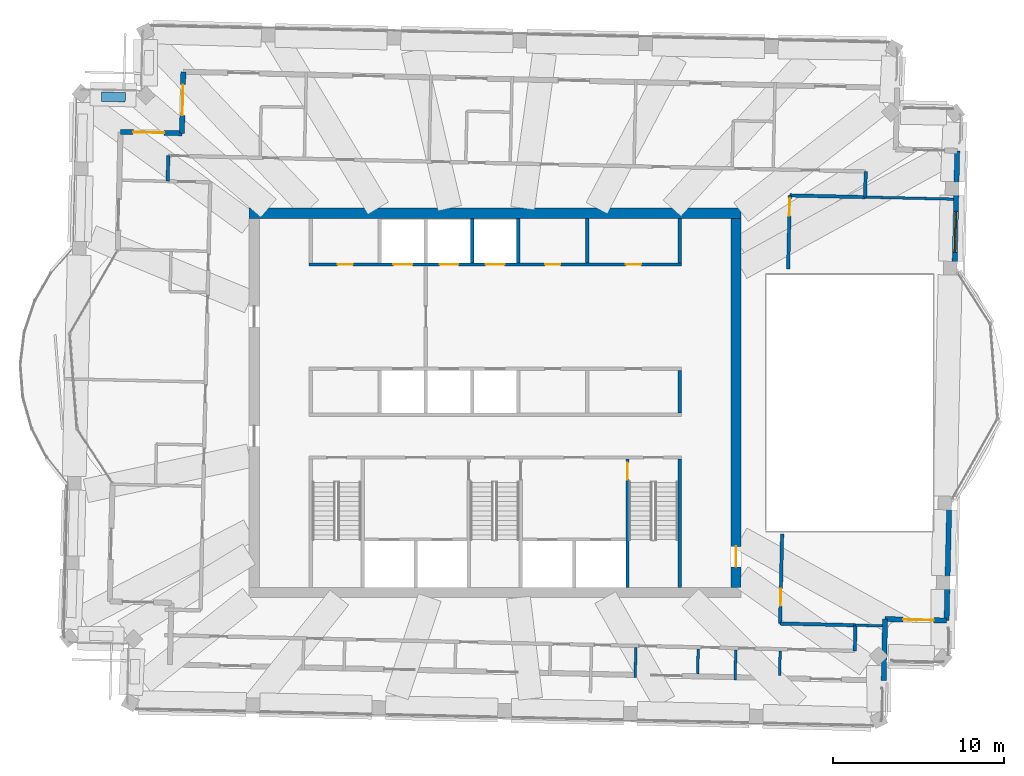
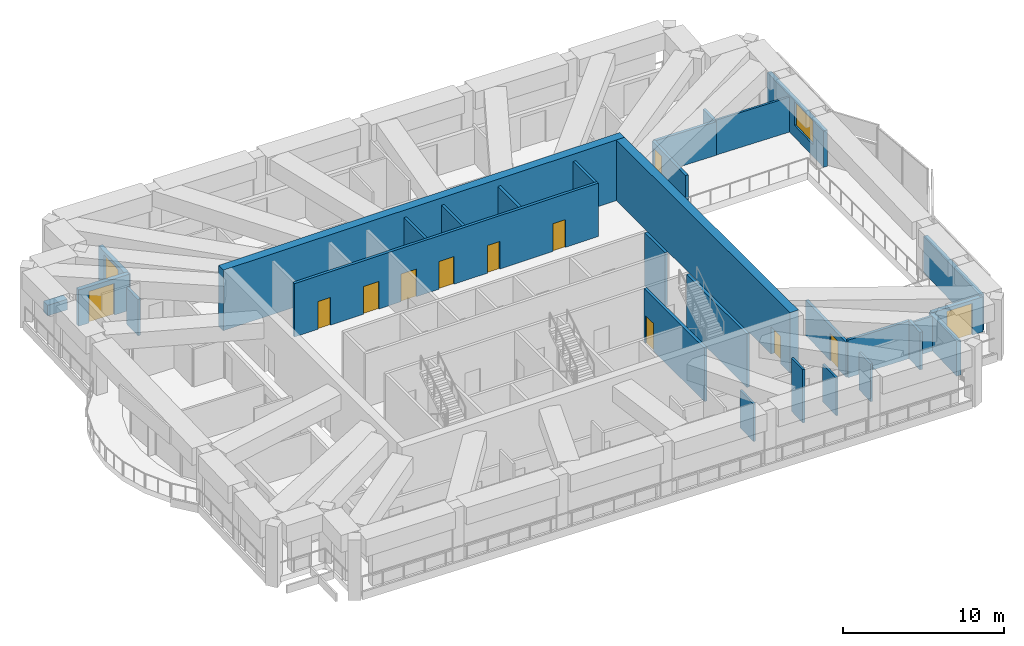
# One storey, part 11 of 19: 30 walls, 13 doors, 1 window, 14 openings.
"""IFC4 building model written with IfcOpenShell, lengths in metres."""

from ifc_helpers import new_model, si_unit, direction, frame, frame_2d, origin, place, context, subcontext, project, spatial, rectangle, extrude, material, layer, layer_set, type_object, element, fill, save


model = new_model("IFC4")

# Units and contexts
model_context = context("Model", 3, precision=1e-05, world=origin(), true_north=direction((0.0, 1.0)))
body_context = subcontext(model_context, "Body", "Model", "MODEL_VIEW")
ifc_project = project(units=[si_unit("LENGTHUNIT", "METRE"), si_unit("AREAUNIT", "SQUARE_METRE"), si_unit("VOLUMEUNIT", "CUBIC_METRE"), si_unit("PLANEANGLEUNIT", "RADIAN"), si_unit("MASSUNIT", "GRAM", prefix="KILO")], contexts=[model_context])

# Site, building, storey
site_placement = place(None, origin())
site = spatial("IfcSite", under=ifc_project, at=site_placement, CompositionType="ELEMENT")
building_placement = place(site_placement, origin())
building = spatial("IfcBuilding", under=site, at=building_placement, Name="Mangrove Gate Tower", CompositionType="ELEMENT")
storey_placement = place(building_placement, frame((0.0, 0.0, 346.10009765625)))
storey = spatial("IfcBuildingStorey", under=building, at=storey_placement, Name="L88", CompositionType="ELEMENT", Elevation=346.10009765625)

# Walls
ifc_material_1 = material(Name="Concrete C32/40", Category="concrete")
ifc_layer_1 = layer(ifc_material_1, 0.199951171875)
ifc_layer_set_1 = layer_set([ifc_layer_1], Name="Core room wall 200 C32/40")
wall_type_1 = type_object("IfcWallType", Name="Core room wall 200 C32/40", PredefinedType="STANDARD", material=ifc_layer_set_1)
wall_1_placement = place(storey_placement, frame((10.800048828125, -0.60009765625, 0.0), z_axis=(0.0, 0.0, 1.0), x_axis=(0.0, 1.0, 0.0)))
element("IfcWall", 1, at=wall_1_placement, inside=storey, type_object=wall_type_1, Name="WALL-L88-CORE-25", PredefinedType="STANDARD", context=body_context, shape_type="SweptSolid", body=[
    extrude(rectangle(XDim=2.5, YDim=0.199951171875, at=frame_2d((1.25, 0.0))), origin(), (0.0, 0.0, 1.0), 4.0498046875),
])
for number, where, z_axis, x_axis, name in (
    (2, (5.39990234375, 8.199951171875, 0.0), (0.0, 0.0, 1.0), (0.0, 1.0, 0.0), "WALL-L88-CORE-31"),
    (3, (10.800048828125, 8.199951171875, 0.0), (0.0, 0.0, 1.0), (0.0, 1.0, 0.0), "WALL-L88-CORE-32"),
):
    element("IfcWall", number, at=place(storey_placement, frame(where, z_axis=z_axis, x_axis=x_axis)), inside=storey, type_object=wall_type_1, Name=name, PredefinedType="STANDARD", context=body_context, shape_type="SweptSolid", body=[
        extrude(rectangle(XDim=2.60009765625, YDim=0.199951171875, at=frame_2d((1.300048828125, 0.0))), origin(), (0.0, 0.0, 1.0), 4.0498046875),
    ])

# Wall, openings, doors
ifc_material_2 = material(Name="Concrete C50/60", Category="concrete")
ifc_layer_2 = layer(ifc_material_2, 0.199951171875)
ifc_layer_set_2 = layer_set([ifc_layer_2], Name="Core shaft wall 200 C50/60")
wall_type_2 = type_object("IfcWallType", Name="Core shaft wall 200 C50/60", PredefinedType="SHEAR", material=ifc_layer_set_2)
wall_2_placement = place(storey_placement, frame((-10.89990234375, 8.10009765625, 0.0), z_axis=(0.0, 0.0, 1.0), x_axis=(1.0, 0.0, 0.0)))
wall_2 = element("IfcWall", 4, at=wall_2_placement, inside=storey, type_object=wall_type_2, Name="WALL-L88-CORE-8", PredefinedType="SHEAR", context=body_context, shape_type="SweptSolid", body=[
    extrude(rectangle(XDim=21.7998046875, YDim=0.199951171875, at=frame_2d((10.89990234375, 0.0))), origin(), (0.0, 0.0, 1.0), 4.0498046875),
])
opening_1_placement = place(wall_2_placement, frame((4.949951171875, 0.0, 0.0)))
opening_1 = element("IfcOpeningElement", 5, at=opening_1_placement, cuts=wall_2, Name="Opening LD", PredefinedType="OPENING", context=body_context, shape_type="SweptSolid", body=[
    extrude(rectangle(XDim=1.10009765625, YDim=2.10009765625, at=frame_2d((0.550048828125, 1.050048828125))), frame((0.0, 0.10986328125, 0.0), z_axis=(0.0, -1.0, 0.0), x_axis=(1.0, 0.0, 0.0)), (0.0, 0.0, 1.0), 0.219970703125),
])
opening_2_placement = place(wall_2_placement, frame((7.64990234375, 0.0, 0.0)))
opening_2 = element("IfcOpeningElement", 6, at=opening_2_placement, cuts=wall_2, Name="Opening LD", PredefinedType="OPENING", context=body_context, shape_type="SweptSolid", body=[
    extrude(rectangle(XDim=1.10009765625, YDim=2.10009765625, at=frame_2d((0.550048828125, 1.050048828125))), frame((0.0, 0.10986328125, 0.0), z_axis=(0.0, -1.0, 0.0), x_axis=(1.0, 0.0, 0.0)), (0.0, 0.0, 1.0), 0.219970703125),
])
opening_3_placement = place(wall_2_placement, frame((10.35009765625, 0.0, 0.0)))
opening_3 = element("IfcOpeningElement", 7, at=opening_3_placement, cuts=wall_2, Name="Opening LD", PredefinedType="OPENING", context=body_context, shape_type="SweptSolid", body=[
    extrude(rectangle(XDim=1.10009765625, YDim=2.10009765625, at=frame_2d((0.550048828125, 1.050048828125))), frame((0.0, 0.10986328125, 0.0), z_axis=(0.0, -1.0, 0.0), x_axis=(1.0, 0.0, 0.0)), (0.0, 0.0, 1.0), 0.219970703125),
])
opening_4_placement = place(wall_2_placement, frame((1.675048828125, 0.0, 0.0)))
opening_4 = element("IfcOpeningElement", 8, at=opening_4_placement, cuts=wall_2, Name="Opening KD", PredefinedType="OPENING", context=body_context, shape_type="SweptSolid", body=[
    extrude(rectangle(XDim=0.89990234375, YDim=2.10009765625, at=frame_2d((0.449951171875, 1.050048828125))), frame((0.0, 0.10986328125, 0.0), z_axis=(0.0, -1.0, 0.0), x_axis=(1.0, 0.0, 0.0)), (0.0, 0.0, 1.0), 0.219970703125),
])
opening_5_placement = place(wall_2_placement, frame((13.824951171875, 0.0, 0.0)))
opening_5 = element("IfcOpeningElement", 9, at=opening_5_placement, cuts=wall_2, Name="Opening KD", PredefinedType="OPENING", context=body_context, shape_type="SweptSolid", body=[
    extrude(rectangle(XDim=0.89990234375, YDim=2.10009765625, at=frame_2d((0.449951171875, 1.050048828125))), frame((0.0, 0.10986328125, 0.0), z_axis=(0.0, -1.0, 0.0), x_axis=(1.0, 0.0, 0.0)), (0.0, 0.0, 1.0), 0.219970703125),
])
opening_6_placement = place(wall_2_placement, frame((18.550048828125, 0.0, 0.0)))
opening_6 = element("IfcOpeningElement", 10, at=opening_6_placement, cuts=wall_2, Name="Opening RD", PredefinedType="OPENING", context=body_context, shape_type="SweptSolid", body=[
    extrude(rectangle(XDim=0.89990234375, YDim=2.10009765625, at=frame_2d((0.449951171875, 1.050048828125))), frame((0.0, 0.10986328125, 0.0), z_axis=(0.0, -1.0, 0.0), x_axis=(1.0, 0.0, 0.0)), (0.0, 0.0, 1.0), 0.219970703125),
])
ifc_material_3 = material(Name="Fire-rated steel door set", Category="steel")
door_type_1 = type_object("IfcDoorType", Name="Core room door FD30S 900x2100", OperationType="SINGLE_SWING_RIGHT", PredefinedType="DOOR", material=ifc_material_3)
door_1_placement = place(opening_4_placement, origin())
door_1 = element("IfcDoor", 11, at=door_1_placement, inside=storey, type_object=door_type_1, Name="Core room door Cleaner's store", OperationType="SINGLE_SWING_RIGHT", OverallHeight=2.10009765625, OverallWidth=0.89990234375, PredefinedType="DOOR", context=body_context, shape_type="SweptSolid", body=[
    extrude(rectangle(XDim=0.89990234375, YDim=2.10009765625, at=frame_2d((0.449951171875, 1.050048828125))), frame((0.0, 0.02490234375, 0.0), z_axis=(0.0, -1.0, 0.0), x_axis=(1.0, 0.0, 0.0)), (0.0, 0.0, 1.0), 0.050048828125),
])
fill(opening_4, door_1)
door_2_placement = place(opening_5_placement, origin())
door_2 = element("IfcDoor", 12, at=door_2_placement, inside=storey, type_object=door_type_1, Name="Core room door Refuse store", OperationType="SINGLE_SWING_RIGHT", OverallHeight=2.10009765625, OverallWidth=0.89990234375, PredefinedType="DOOR", context=body_context, shape_type="SweptSolid", body=[
    extrude(rectangle(XDim=0.89990234375, YDim=2.10009765625, at=frame_2d((0.449951171875, 1.050048828125))), frame((0.0, 0.02490234375, 0.0), z_axis=(0.0, -1.0, 0.0), x_axis=(1.0, 0.0, 0.0)), (0.0, 0.0, 1.0), 0.050048828125),
])
fill(opening_5, door_2)
ifc_material_4 = material(Name="Stainless steel 316", Category="steel")
door_type_2 = type_object("IfcDoorType", Name="Lift landing door 1100x2100", OperationType="SLIDING_TO_LEFT", PredefinedType="DOOR", material=ifc_material_4)
door_3_placement = place(opening_1_placement, origin())
door_3 = element("IfcDoor", 13, at=door_3_placement, inside=storey, type_object=door_type_2, Name="Landing door LD H04", OperationType="SLIDING_TO_LEFT", OverallHeight=2.10009765625, OverallWidth=1.10009765625, PredefinedType="DOOR", context=body_context, shape_type="SweptSolid", body=[
    extrude(rectangle(XDim=1.10009765625, YDim=2.10009765625, at=frame_2d((0.550048828125, 1.050048828125))), frame((0.0, 0.02490234375, 0.0), z_axis=(0.0, -1.0, 0.0), x_axis=(1.0, 0.0, 0.0)), (0.0, 0.0, 1.0), 0.050048828125),
])
fill(opening_1, door_3)
door_4_placement = place(opening_2_placement, origin())
door_4 = element("IfcDoor", 14, at=door_4_placement, inside=storey, type_object=door_type_2, Name="Landing door LD H05", OperationType="SLIDING_TO_LEFT", OverallHeight=2.10009765625, OverallWidth=1.10009765625, PredefinedType="DOOR", context=body_context, shape_type="SweptSolid", body=[
    extrude(rectangle(XDim=1.10009765625, YDim=2.10009765625, at=frame_2d((0.550048828125, 1.050048828125))), frame((0.0, 0.02490234375, 0.0), z_axis=(0.0, -1.0, 0.0), x_axis=(1.0, 0.0, 0.0)), (0.0, 0.0, 1.0), 0.050048828125),
])
fill(opening_2, door_4)
door_5_placement = place(opening_3_placement, origin())
door_5 = element("IfcDoor", 15, at=door_5_placement, inside=storey, type_object=door_type_2, Name="Landing door LD H06", OperationType="SLIDING_TO_LEFT", OverallHeight=2.10009765625, OverallWidth=1.10009765625, PredefinedType="DOOR", context=body_context, shape_type="SweptSolid", body=[
    extrude(rectangle(XDim=1.10009765625, YDim=2.10009765625, at=frame_2d((0.550048828125, 1.050048828125))), frame((0.0, 0.02490234375, 0.0), z_axis=(0.0, -1.0, 0.0), x_axis=(1.0, 0.0, 0.0)), (0.0, 0.0, 1.0), 0.050048828125),
])
fill(opening_3, door_5)
ifc_material_5 = material(Name="Fire-rated steel door set", Category="steel")
door_type_3 = type_object("IfcDoorType", Name="Riser door FD30S 900x2100", OperationType="SINGLE_SWING_LEFT", PredefinedType="DOOR", material=ifc_material_5)
door_6_placement = place(opening_6_placement, origin())
door_6 = element("IfcDoor", 16, at=door_6_placement, inside=storey, type_object=door_type_3, Name="Riser door Electrical room", OperationType="SINGLE_SWING_LEFT", OverallHeight=2.10009765625, OverallWidth=0.89990234375, PredefinedType="DOOR", context=body_context, shape_type="SweptSolid", body=[
    extrude(rectangle(XDim=0.89990234375, YDim=2.10009765625, at=frame_2d((0.449951171875, 1.050048828125))), frame((0.0, 0.02490234375, 0.0), z_axis=(0.0, -1.0, 0.0), x_axis=(1.0, 0.0, 0.0)), (0.0, 0.0, 1.0), 0.050048828125),
])
fill(opening_6, door_6)

# Walls
for number, where, z_axis, x_axis, name in (
    (17, (-1.35009765625, 8.199951171875, 0.0), (0.0, 0.0, 1.0), (0.0, 1.0, 0.0), "WALL-L88-CORE-29"),
    (18, (1.35009765625, 8.199951171875, 0.0), (0.0, 0.0, 1.0), (0.0, 1.0, 0.0), "WALL-L88-CORE-30"),
):
    element("IfcWall", number, at=place(storey_placement, frame(where, z_axis=z_axis, x_axis=x_axis)), inside=storey, type_object=wall_type_2, Name=name, PredefinedType="SHEAR", context=body_context, shape_type="SweptSolid", body=[
        extrude(rectangle(XDim=2.60009765625, YDim=0.199951171875, at=frame_2d((1.300048828125, 0.0))), origin(), (0.0, 0.0, 1.0), 4.0498046875),
    ])

# Wall, opening, door
ifc_material_6 = material(Name="Concrete C50/60", Category="concrete")
ifc_layer_3 = layer(ifc_material_6, 0.199951171875)
ifc_layer_set_3 = layer_set([ifc_layer_3], Name="Core stair wall 200 C50/60")
wall_type_3 = type_object("IfcWallType", Name="Core stair wall 200 C50/60", PredefinedType="SHEAR", material=ifc_layer_set_3)
wall_3_placement = place(storey_placement, frame((7.75, -10.800048828125, 0.0), z_axis=(0.0, 0.0, 1.0), x_axis=(0.0, 1.0, 0.0)))
wall_3 = element("IfcWall", 19, at=wall_3_placement, inside=storey, type_object=wall_type_3, Name="WALL-L88-CORE-13", PredefinedType="SHEAR", context=body_context, shape_type="SweptSolid", body=[
    extrude(rectangle(XDim=7.5, YDim=0.199951171875, at=frame_2d((3.75, 0.0))), origin(), (0.0, 0.0, 1.0), 4.0498046875),
])
opening_7_placement = place(wall_3_placement, frame((6.300048828125, 0.0, 0.0)))
opening_7 = element("IfcOpeningElement", 20, at=opening_7_placement, cuts=wall_3, Name="Opening STD10", PredefinedType="OPENING", context=body_context, shape_type="SweptSolid", body=[
    extrude(rectangle(XDim=1.0, YDim=2.10009765625, at=frame_2d((0.5, 1.050048828125))), frame((0.0, 0.10986328125, 0.0), z_axis=(0.0, -1.0, 0.0), x_axis=(1.0, 0.0, 0.0)), (0.0, 0.0, 1.0), 0.219970703125),
])
ifc_material_7 = material(Name="Fire-rated steel door set", Category="steel")
door_type_4 = type_object("IfcDoorType", Name="Stair door FD60 1000x2100", OperationType="SINGLE_SWING_RIGHT", PredefinedType="DOOR", material=ifc_material_7)
door_7_placement = place(opening_7_placement, origin())
door_7 = element("IfcDoor", 21, at=door_7_placement, inside=storey, type_object=door_type_4, Name="Stair door Stair 3 from fire-fighting lobby", OperationType="SINGLE_SWING_RIGHT", OverallHeight=2.10009765625, OverallWidth=1.0, PredefinedType="DOOR", context=body_context, shape_type="SweptSolid", body=[
    extrude(rectangle(XDim=1.0, YDim=2.10009765625, at=frame_2d((0.5, 1.050048828125))), frame((0.0, 0.02490234375, 0.0), z_axis=(0.0, -1.0, 0.0), x_axis=(1.0, 0.0, 0.0)), (0.0, 0.0, 1.0), 0.050048828125),
])
fill(opening_7, door_7)

# Walls
wall_4_placement = place(storey_placement, frame((10.800048828125, -10.800048828125, 0.0), z_axis=(0.0, 0.0, 1.0), x_axis=(0.0, 1.0, 0.0)))
element("IfcWall", 22, at=wall_4_placement, inside=storey, type_object=wall_type_3, Name="WALL-L88-CORE-14", PredefinedType="SHEAR", context=body_context, shape_type="SweptSolid", body=[
    extrude(rectangle(XDim=7.5, YDim=0.199951171875, at=frame_2d((3.75, 0.0))), origin(), (0.0, 0.0, 1.0), 4.0498046875),
])
ifc_material_8 = material(Name="Concrete C50/60", Category="concrete")
ifc_layer_4 = layer(ifc_material_8, 0.60009765625)
ifc_layer_set_4 = layer_set([ifc_layer_4], Name="Core wall 600 C50/60")
wall_type_4 = type_object("IfcWallType", Name="Core wall 600 C50/60", PredefinedType="SHEAR", material=ifc_layer_set_4)
wall_5_placement = place(storey_placement, frame((-14.39990234375, 11.10009765625, 0.0), z_axis=(0.0, 0.0, 1.0), x_axis=(1.0, 0.0, 0.0)))
element("IfcWall", 23, at=wall_5_placement, inside=storey, type_object=wall_type_4, Name="WALL-L88-CORE-2", PredefinedType="SHEAR", context=body_context, shape_type="SweptSolid", body=[
    extrude(rectangle(XDim=28.7998046875, YDim=0.60009765625, at=frame_2d((14.39990234375, 0.0))), origin(), (0.0, 0.0, 1.0), 4.599853515625),
])

# Wall, opening, door
wall_6_placement = place(storey_placement, frame((14.10009765625, -10.800048828125, 0.0), z_axis=(0.0, 0.0, 1.0), x_axis=(0.0, 1.0, 0.0)))
wall_6 = element("IfcWall", 24, at=wall_6_placement, inside=storey, type_object=wall_type_4, Name="WALL-L88-CORE-4", PredefinedType="SHEAR", context=body_context, shape_type="SweptSolid", body=[
    extrude(rectangle(XDim=21.60009765625, YDim=0.60009765625, at=frame_2d((10.800048828125, 0.0))), origin(), (0.0, 0.0, 1.0), 4.599853515625),
])
opening_8_placement = place(wall_6_placement, frame((1.199951171875, 0.0, 0.0)))
opening_8 = element("IfcOpeningElement", 25, at=opening_8_placement, cuts=wall_6, Name="Opening CD", PredefinedType="OPENING", context=body_context, shape_type="SweptSolid", body=[
    extrude(rectangle(XDim=1.199951171875, YDim=2.10009765625, at=frame_2d((0.60009765625, 1.050048828125))), frame((0.0, 0.31005859375, 0.0), z_axis=(0.0, -1.0, 0.0), x_axis=(1.0, 0.0, 0.0)), (0.0, 0.0, 1.0), 0.6201171875),
])
ifc_material_9 = material(Name="Fire-rated steel door set", Category="steel")
door_type_5 = type_object("IfcDoorType", Name="Core ring door FD60 1200x2100", OperationType="DOUBLE_DOOR_SINGLE_SWING", PredefinedType="DOOR", material=ifc_material_9)
door_8_placement = place(opening_8_placement, origin())
door_8 = element("IfcDoor", 26, at=door_8_placement, inside=storey, type_object=door_type_5, Name="Core ring door E1", OperationType="DOUBLE_DOOR_SINGLE_SWING", OverallHeight=2.10009765625, OverallWidth=1.199951171875, PredefinedType="DOOR", context=body_context, shape_type="SweptSolid", body=[
    extrude(rectangle(XDim=1.199951171875, YDim=2.10009765625, at=frame_2d((0.60009765625, 1.050048828125))), frame((0.0, 0.02490234375, 0.0), z_axis=(0.0, -1.0, 0.0), x_axis=(1.0, 0.0, 0.0)), (0.0, 0.0, 1.0), 0.050048828125),
])
fill(opening_8, door_8)

# Walls
ifc_material_10 = material(Name="Gypsum board on steel stud, EI 60", Category="steel")
ifc_layer_5 = layer(ifc_material_10, 0.199951171875)
ifc_layer_set_5 = layer_set([ifc_layer_5], Name="Corridor wall EI 60")
wall_type_5 = type_object("IfcWallType", Name="Corridor wall EI 60", PredefinedType="PARTITIONING", material=ifc_layer_set_5)
wall_7_placement = place(storey_placement, frame((21.05908203125, -14.51806640625, 0.0), z_axis=(0.0, 0.0, 1.0), x_axis=(0.022632637625, 0.99974384905, 0.0)))
element("IfcWall", 27, at=wall_7_placement, inside=storey, type_object=wall_type_5, Name="WALL-L88-011", PredefinedType="PARTITIONING", context=body_context, shape_type="SweptSolid", body=[
    extrude(rectangle(XDim=1.49951171875, YDim=0.199951171875, at=frame_2d((0.749755859375, 0.0))), origin(), (0.0, 0.0, 1.0), 2.849853515625),
])
wall_8_placement = place(storey_placement, frame((16.678955078125, -12.91796875, 0.0), z_axis=(0.0, 0.0, 1.0), x_axis=(0.999737590501, -0.022907425419, 0.0)))
element("IfcWall", 28, at=wall_8_placement, inside=storey, type_object=wall_type_5, Name="WALL-L88-014", PredefinedType="PARTITIONING", context=body_context, shape_type="SweptSolid", body=[
    extrude(rectangle(XDim=4.412353515625, YDim=0.199951171875, at=frame_2d((2.2060546875, 0.0))), origin(), (0.0, 0.0, 1.0), 2.849853515625),
])

# Wall, opening, door
wall_9_placement = place(storey_placement, frame((16.68408203125, -12.9189453125, 0.0), z_axis=(0.0, 0.0, 1.0), x_axis=(0.022667483124, 0.999743059595, 0.0)))
wall_9 = element("IfcWall", 29, at=wall_9_placement, inside=storey, type_object=wall_type_5, Name="WALL-L88-015", PredefinedType="PARTITIONING", context=body_context, shape_type="SweptSolid", body=[
    extrude(rectangle(XDim=5.245361328125, YDim=0.199951171875, at=frame_2d((2.62255859375, 0.0))), origin(), (0.0, 0.0, 1.0), 2.64990234375),
])
opening_9_placement = place(wall_9_placement, frame((1.041015625, 0.0, 0.0)))
opening_9 = element("IfcOpeningElement", 30, at=opening_9_placement, cuts=wall_9, Name="Opening AD", PredefinedType="OPENING", context=body_context, shape_type="SweptSolid", body=[
    extrude(rectangle(XDim=1.0, YDim=2.10009765625, at=frame_2d((0.5, 1.050048828125))), frame((0.0, 0.10986328125, 0.0), z_axis=(0.0, -1.0, 0.0), x_axis=(1.0, 0.0, 0.0)), (0.0, 0.0, 1.0), 0.219970703125),
])
ifc_material_11 = material(Name="Timber door leaf", Category="wood")
door_type_6 = type_object("IfcDoorType", Name="Amenity door 1000", OperationType="SINGLE_SWING_LEFT", PredefinedType="DOOR", material=ifc_material_11)
door_9_placement = place(opening_9_placement, origin())
door_9 = element("IfcDoor", 31, at=door_9_placement, inside=storey, type_object=door_type_6, Name="DOOR-L88-KIT-c2b", OperationType="SINGLE_SWING_LEFT", OverallHeight=2.10009765625, OverallWidth=1.0, PredefinedType="DOOR", context=body_context, shape_type="SweptSolid", body=[
    extrude(rectangle(XDim=1.0, YDim=2.10009765625, at=frame_2d((0.5, 1.050048828125))), frame((0.0, 0.02490234375, 0.0), z_axis=(0.0, -1.0, 0.0), x_axis=(1.0, 0.0, 0.0)), (0.0, 0.0, 1.0), 0.050048828125),
])
fill(opening_9, door_9)

wall_10_placement = place(storey_placement, frame((17.155029296875, 7.845947265625, 0.0), z_axis=(0.0, 0.0, 1.0), x_axis=(0.022745886685, 0.999741278851, 0.0)))
wall_10 = element("IfcWall", 32, at=wall_10_placement, inside=storey, type_object=wall_type_5, Name="WALL-L88-023", PredefinedType="PARTITIONING", context=body_context, shape_type="SweptSolid", body=[
    extrude(rectangle(XDim=4.30419921875, YDim=0.199951171875, at=frame_2d((2.152099609375, 0.0))), origin(), (0.0, 0.0, 1.0), 2.5498046875),
])
opening_10_placement = place(wall_10_placement, frame((3.10400390625, 0.0, 0.0)))
opening_10 = element("IfcOpeningElement", 33, at=opening_10_placement, cuts=wall_10, Name="Opening AD", PredefinedType="OPENING", context=body_context, shape_type="SweptSolid", body=[
    extrude(rectangle(XDim=1.0, YDim=2.10009765625, at=frame_2d((0.5, 1.050048828125))), frame((0.0, 0.10986328125, 0.0), z_axis=(0.0, -1.0, 0.0), x_axis=(1.0, 0.0, 0.0)), (0.0, 0.0, 1.0), 0.219970703125),
])
door_10_placement = place(opening_10_placement, origin())
door_10 = element("IfcDoor", 34, at=door_10_placement, inside=storey, type_object=door_type_6, Name="DOOR-L88-LNG-c2a", OperationType="SINGLE_SWING_RIGHT", OverallHeight=2.10009765625, OverallWidth=1.0, PredefinedType="DOOR", context=body_context, shape_type="SweptSolid", body=[
    extrude(rectangle(XDim=1.0, YDim=2.10009765625, at=frame_2d((0.5, 1.050048828125))), frame((0.0, 0.02490234375, 0.0), z_axis=(0.0, -1.0, 0.0), x_axis=(1.0, 0.0, 0.0)), (0.0, 0.0, 1.0), 0.050048828125),
])
fill(opening_10, door_10)

# Walls
wall_11_placement = place(storey_placement, frame((17.248046875, 12.14501953125, 0.0), z_axis=(0.0, 0.0, 1.0), x_axis=(0.999742606292, -0.022687467127, 0.0)))
element("IfcWall", 35, at=wall_11_placement, inside=storey, type_object=wall_type_5, Name="WALL-L88-027", PredefinedType="PARTITIONING", context=body_context, shape_type="SweptSolid", body=[
    extrude(rectangle(XDim=4.412109375, YDim=0.199951171875, at=frame_2d((2.2060546875, 0.0))), origin(), (0.0, 0.0, 1.0), 2.5498046875),
])
wall_12_placement = place(storey_placement, frame((-19.16796875, 12.97509765625, 0.0), z_axis=(0.0, 0.0, 1.0), x_axis=(0.022617910375, 0.999744182344, 0.0)))
element("IfcWall", 36, at=wall_12_placement, inside=storey, type_object=wall_type_5, Name="WALL-L88-029", PredefinedType="PARTITIONING", context=body_context, shape_type="SweptSolid", body=[
    extrude(rectangle(XDim=1.50048828125, YDim=0.199951171875, at=frame_2d((0.750244140625, 0.0))), origin(), (0.0, 0.0, 1.0), 2.75),
])
wall_13_placement = place(storey_placement, frame((21.662109375, 12.049072265625, 0.0), z_axis=(0.0, 0.0, 1.0), x_axis=(0.022617910375, 0.999744182344, 0.0)))
element("IfcWall", 37, at=wall_13_placement, inside=storey, type_object=wall_type_5, Name="WALL-L88-030", PredefinedType="PARTITIONING", context=body_context, shape_type="SweptSolid", body=[
    extrude(rectangle(XDim=1.50048828125, YDim=0.199951171875, at=frame_2d((0.750244140625, 0.0))), origin(), (0.0, 0.0, 1.0), 2.5498046875),
])
ifc_material_12 = material(Name="Limestone", Category="masonry")
ifc_layer_6 = layer(ifc_material_12, 0.0400390625, Name="Limestone cladding")
ifc_material_13 = material(Name="Ventilated air gap")
ifc_layer_7 = layer(ifc_material_13, 0.0400390625, Name="Ventilated cavity")
ifc_material_14 = material(Name="Mineral wool insulation")
ifc_layer_8 = layer(ifc_material_14, 0.06005859375, Name="Insulation")
ifc_material_15 = material(Name="Breather membrane")
ifc_layer_9 = layer(ifc_material_15, 0.001953125, Name="Breather membrane")
ifc_material_16 = material(Name="Concrete C20/25 blockwork", Category="masonry")
ifc_layer_10 = layer(ifc_material_16, 0.14990234375, Name="Blockwork backing wall")
ifc_material_17 = material(Name="Gypsum plaster")
ifc_layer_11 = layer(ifc_material_17, 0.008056640625, Name="Internal plaster")
ifc_layer_set_6 = layer_set([ifc_layer_6, ifc_layer_7, ifc_layer_8, ifc_layer_9, ifc_layer_10, ifc_layer_11], Name="External wall 300 limestone cladding")
wall_type_6 = type_object("IfcWallType", Name="External wall 300 limestone cladding", PredefinedType="SOLIDWALL", material=ifc_layer_set_6)
wall_14_placement = place(storey_placement, frame((26.430908203125, -12.739990234375, 0.0), z_axis=(0.0, 0.0, 1.0), x_axis=(0.022686338341, 0.999742631907, 0.0)))
element("IfcWall", 38, at=wall_14_placement, inside=storey, type_object=wall_type_6, Name="WALL-L88-E0s1", PredefinedType="SOLIDWALL", context=body_context, shape_type="SweptSolid", body=[
    extrude(rectangle(XDim=7.27490234375, YDim=0.300048828125, at=frame_2d((3.637451171875, 0.0))), origin(), (0.0, 0.0, 1.0), 2.75),
])

# Wall, opening, window
wall_15_placement = place(storey_placement, frame((26.889892578125, 7.48095703125, 0.0), z_axis=(0.0, 0.0, 1.0), x_axis=(0.02268938335, 0.999742562805, 0.0)))
wall_15 = element("IfcWall", 39, at=wall_15_placement, inside=storey, type_object=wall_type_6, Name="WALL-L88-E2s1", PredefinedType="SOLIDWALL", context=body_context, shape_type="SweptSolid", body=[
    extrude(rectangle(XDim=7.27392578125, YDim=0.300048828125, at=frame_2d((3.636962890625, 0.0))), origin(), (0.0, 0.0, 1.0), 2.75),
])
opening_11_placement = place(wall_15_placement, frame((1.324951171875, 0.0, 0.89990234375)))
opening_11 = element("IfcOpeningElement", 40, at=opening_11_placement, cuts=wall_15, Name="Opening W3", PredefinedType="OPENING", context=body_context, shape_type="SweptSolid", body=[
    extrude(rectangle(XDim=2.39990234375, YDim=1.800048828125, at=frame_2d((1.199951171875, 0.89990234375))), frame((0.0, 0.159912109375, 0.0), z_axis=(0.0, -1.0, 0.0), x_axis=(1.0, 0.0, 0.0)), (0.0, 0.0, 1.0), 0.320068359375),
])
ifc_material_18 = material(Name="Aluminium frame with double-glazed low-e glass", Category="aluminium")
window_type = type_object("IfcWindowType", Name="Podium window 2400x1800", PartitioningType="DOUBLE_PANEL_VERTICAL", PredefinedType="WINDOW", material=ifc_material_18)
window_placement = place(opening_11_placement, origin())
window = element("IfcWindow", 41, at=window_placement, inside=storey, type_object=window_type, Name="WIN-L88-E2-1", OverallHeight=1.800048828125, OverallWidth=2.39990234375, PartitioningType="DOUBLE_PANEL_VERTICAL", PredefinedType="WINDOW", context=body_context, shape_type="SweptSolid", body=[
    extrude(rectangle(XDim=2.39990234375, YDim=1.800048828125, at=frame_2d((1.199951171875, 0.89990234375))), frame((0.0, 0.030029296875, 0.0), z_axis=(0.0, -1.0, 0.0), x_axis=(1.0, 0.0, 0.0)), (0.0, 0.0, 1.0), 0.06005859375),
])
fill(opening_11, window)

# Wall, opening, door
wall_16_placement = place(storey_placement, frame((-18.251953125, 19.382080078125, 0.0), z_axis=(0.0, 0.0, 1.0), x_axis=(-0.02278610514, -0.999740363001, 0.0)))
wall_16 = element("IfcWall", 42, at=wall_16_placement, inside=storey, type_object=wall_type_6, Name="WALL-L88-W6", PredefinedType="SOLIDWALL", context=body_context, shape_type="SweptSolid", body=[
    extrude(rectangle(XDim=3.60009765625, YDim=0.300048828125, at=frame_2d((1.800048828125, 0.0))), origin(), (0.0, 0.0, 1.0), 2.64990234375),
])
opening_12_placement = place(wall_16_placement, frame((0.75, 0.0, 0.0)))
opening_12 = element("IfcOpeningElement", 43, at=opening_12_placement, cuts=wall_16, Name="Opening TD1", PredefinedType="OPENING", context=body_context, shape_type="SweptSolid", body=[
    extrude(rectangle(XDim=1.800048828125, YDim=2.39990234375, at=frame_2d((0.89990234375, 1.199951171875))), frame((0.0, 0.159912109375, 0.0), z_axis=(0.0, -1.0, 0.0), x_axis=(1.0, 0.0, 0.0)), (0.0, 0.0, 1.0), 0.320068359375),
])
ifc_material_19 = material(Name="Aluminium frame with laminated clear glass", Category="aluminium")
door_type_7 = type_object("IfcDoorType", Name="Terrace door 1800x2400", OperationType="DOUBLE_DOOR_SINGLE_SWING", PredefinedType="DOOR", material=ifc_material_19)
door_11_placement = place(opening_12_placement, origin())
door_11 = element("IfcDoor", 44, at=door_11_placement, inside=storey, type_object=door_type_7, Name="DOOR-L88-W6-1", OperationType="DOUBLE_DOOR_SINGLE_SWING", OverallHeight=2.39990234375, OverallWidth=1.800048828125, PredefinedType="DOOR", context=body_context, shape_type="SweptSolid", body=[
    extrude(rectangle(XDim=1.800048828125, YDim=2.39990234375, at=frame_2d((0.89990234375, 1.199951171875))), frame((0.0, 0.02490234375, 0.0), z_axis=(0.0, -1.0, 0.0), x_axis=(1.0, 0.0, 0.0)), (0.0, 0.0, 1.0), 0.050048828125),
])
fill(opening_12, door_11)

wall_17_placement = place(storey_placement, frame((-18.333984375, 15.782958984375, 0.0), z_axis=(0.0, 0.0, 1.0), x_axis=(-0.999740363001, 0.02278610514, 0.0)))
wall_17 = element("IfcWall", 45, at=wall_17_placement, inside=storey, type_object=wall_type_6, Name="WALL-L88-N7", PredefinedType="SOLIDWALL", context=body_context, shape_type="SweptSolid", body=[
    extrude(rectangle(XDim=3.60009765625, YDim=0.300048828125, at=frame_2d((1.800048828125, 0.0))), origin(), (0.0, 0.0, 1.0), 2.75),
])
opening_13_placement = place(wall_17_placement, frame((1.050048828125, 0.0, 0.0)))
opening_13 = element("IfcOpeningElement", 46, at=opening_13_placement, cuts=wall_17, Name="Opening TD1", PredefinedType="OPENING", context=body_context, shape_type="SweptSolid", body=[
    extrude(rectangle(XDim=1.800048828125, YDim=2.39990234375, at=frame_2d((0.89990234375, 1.199951171875))), frame((0.0, 0.159912109375, 0.0), z_axis=(0.0, -1.0, 0.0), x_axis=(1.0, 0.0, 0.0)), (0.0, 0.0, 1.0), 0.320068359375),
])
door_12_placement = place(opening_13_placement, origin())
door_12 = element("IfcDoor", 47, at=door_12_placement, inside=storey, type_object=door_type_7, Name="DOOR-L88-N7-1", OperationType="DOUBLE_DOOR_SINGLE_SWING", OverallHeight=2.39990234375, OverallWidth=1.800048828125, PredefinedType="DOOR", context=body_context, shape_type="SweptSolid", body=[
    extrude(rectangle(XDim=1.800048828125, YDim=2.39990234375, at=frame_2d((0.89990234375, 1.199951171875))), frame((0.0, 0.02490234375, 0.0), z_axis=(0.0, -1.0, 0.0), x_axis=(1.0, 0.0, 0.0)), (0.0, 0.0, 1.0), 0.050048828125),
])
fill(opening_13, door_12)

# Wall
wall_18_placement = place(storey_placement, frame((22.75, -16.257080078125, 0.0), z_axis=(0.0, 0.0, 1.0), x_axis=(0.02278610514, 0.999740363001, 0.0)))
element("IfcWall", 48, at=wall_18_placement, inside=storey, type_object=wall_type_6, Name="WALL-L88-E14", PredefinedType="SOLIDWALL", context=body_context, shape_type="SweptSolid", body=[
    extrude(rectangle(XDim=3.60009765625, YDim=0.300048828125, at=frame_2d((1.800048828125, 0.0))), origin(), (0.0, 0.0, 1.0), 2.64990234375),
])

# Wall, opening, door
wall_19_placement = place(storey_placement, frame((22.83203125, -12.657958984375, 0.0), z_axis=(0.0, 0.0, 1.0), x_axis=(0.999740327787, -0.022787650101, 0.0)))
wall_19 = element("IfcWall", 49, at=wall_19_placement, inside=storey, type_object=wall_type_6, Name="WALL-L88-S15", PredefinedType="SOLIDWALL", context=body_context, shape_type="SweptSolid", body=[
    extrude(rectangle(XDim=3.599853515625, YDim=0.300048828125, at=frame_2d((1.7998046875, 0.0))), origin(), (0.0, 0.0, 1.0), 2.64990234375),
])
opening_14_placement = place(wall_19_placement, frame((1.050048828125, 0.0, 0.0)))
opening_14 = element("IfcOpeningElement", 50, at=opening_14_placement, cuts=wall_19, Name="Opening TD1", PredefinedType="OPENING", context=body_context, shape_type="SweptSolid", body=[
    extrude(rectangle(XDim=1.800048828125, YDim=2.39990234375, at=frame_2d((0.89990234375, 1.199951171875))), frame((0.0, 0.159912109375, 0.0), z_axis=(0.0, -1.0, 0.0), x_axis=(1.0, 0.0, 0.0)), (0.0, 0.0, 1.0), 0.320068359375),
])
door_13_placement = place(opening_14_placement, origin())
door_13 = element("IfcDoor", 51, at=door_13_placement, inside=storey, type_object=door_type_7, Name="DOOR-L88-S15-1", OperationType="DOUBLE_DOOR_SINGLE_SWING", OverallHeight=2.39990234375, OverallWidth=1.800048828125, PredefinedType="DOOR", context=body_context, shape_type="SweptSolid", body=[
    extrude(rectangle(XDim=1.800048828125, YDim=2.39990234375, at=frame_2d((0.89990234375, 1.199951171875))), frame((0.0, 0.02490234375, 0.0), z_axis=(0.0, -1.0, 0.0), x_axis=(1.0, 0.0, 0.0)), (0.0, 0.0, 1.0), 0.050048828125),
])
fill(opening_14, door_13)

# Walls
ifc_material_20 = material(Name="Gypsum board on steel stud, EI 60", Category="steel")
ifc_layer_12 = layer(ifc_material_20, 0.14990234375)
ifc_layer_set_7 = layer_set([ifc_layer_12], Name="Party wall 150 EI 60")
wall_type_7 = type_object("IfcWallType", Name="Party wall 150 EI 60", PredefinedType="PARTITIONING", material=ifc_layer_set_7)
for number, where, z_axis, x_axis, name in (
    (52, (8.199951171875, -16.0810546875, 0.0), (0.0, 0.0, 1.0), (0.022819386922, 0.999739603887, 0.0), "WALL-L88-005"),
    (53, (14.049072265625, -16.214111328125, 0.0), (0.0, 0.0, 1.0), (0.022819386922, 0.999739603887, 0.0), "WALL-L88-006"),
):
    element("IfcWall", number, at=place(storey_placement, frame(where, z_axis=z_axis, x_axis=x_axis)), inside=storey, type_object=wall_type_7, Name=name, PredefinedType="PARTITIONING", context=body_context, shape_type="SweptSolid", body=[
        extrude(rectangle(XDim=1.754638671875, YDim=0.14990234375, at=frame_2d((0.87744140625, 0.0))), origin(), (0.0, 0.0, 1.0), 2.849853515625),
    ])
wall_20_placement = place(storey_placement, frame((11.85595703125, -15.860107421875, 0.0), z_axis=(0.0, 0.0, 1.0), x_axis=(0.022721405353, 0.999741835545, 0.0)))
element("IfcWall", 54, at=wall_20_placement, inside=storey, type_object=wall_type_7, Name="WALL-L88-008", PredefinedType="PARTITIONING", context=body_context, shape_type="SweptSolid", body=[
    extrude(rectangle(XDim=1.45068359375, YDim=0.14990234375, at=frame_2d((0.725341796875, 0.0))), origin(), (0.0, 0.0, 1.0), 4.0498046875),
])
wall_21_placement = place(storey_placement, frame((16.655029296875, -15.968994140625, 0.0), z_axis=(0.0, 0.0, 1.0), x_axis=(0.022725229174, 0.999741748633, 0.0)))
element("IfcWall", 55, at=wall_21_placement, inside=storey, type_object=wall_type_7, Name="WALL-L88-009", PredefinedType="PARTITIONING", context=body_context, shape_type="SweptSolid", body=[
    extrude(rectangle(XDim=1.450439453125, YDim=0.14990234375, at=frame_2d((0.72509765625, 0.0))), origin(), (0.0, 0.0, 1.0), 2.849853515625),
])
wall_22_placement = place(storey_placement, frame((21.0859375, -13.01806640625, 0.0), z_axis=(0.0, 0.0, 1.0), x_axis=(0.99974444885, -0.022606127362, 0.0)))
element("IfcWall", 56, at=wall_22_placement, inside=storey, type_object=wall_type_7, Name="WALL-L88-016", PredefinedType="PARTITIONING", context=body_context, shape_type="SweptSolid", body=[
    extrude(rectangle(XDim=1.587646484375, YDim=0.14990234375, at=frame_2d((0.7939453125, 0.0))), origin(), (0.0, 0.0, 1.0), 2.64990234375),
])
wall_23_placement = place(storey_placement, frame((21.658935546875, 12.044921875, 0.0), z_axis=(0.0, 0.0, 1.0), x_axis=(0.999741202945, -0.0227492227, 0.0)))
element("IfcWall", 57, at=wall_23_placement, inside=storey, type_object=wall_type_7, Name="WALL-L88-028", PredefinedType="PARTITIONING", context=body_context, shape_type="SweptSolid", body=[
    extrude(rectangle(XDim=5.183349609375, YDim=0.14990234375, at=frame_2d((2.591796875, 0.0))), origin(), (0.0, 0.0, 1.0), 2.64990234375),
])
ifc_material_21 = material(Name="Concrete C32/40", Category="concrete")
ifc_layer_13 = layer(ifc_material_21, 0.199951171875, Name="Planter trough wall")
ifc_material_22 = material(Name="Bituminous waterproofing membrane")
ifc_layer_14 = layer(ifc_material_22, 0.0048828125, Name="Waterproofing")
ifc_material_23 = material(Name="Drainage board and gravel")
ifc_layer_15 = layer(ifc_material_23, 0.044921875, Name="Drainage layer")
ifc_material_24 = material(Name="Planting soil")
ifc_layer_16 = layer(ifc_material_24, 0.300048828125, Name="Growing medium")
ifc_layer_set_8 = layer_set([ifc_layer_13, ifc_layer_14, ifc_layer_15, ifc_layer_16], Name="Planter wall 550 C32/40")
wall_type_8 = type_object("IfcWallType", Name="Planter wall 550 C32/40", PredefinedType="USERDEFINED", material=ifc_layer_set_8)
wall_24_placement = place(storey_placement, frame((-23.035888671875, 17.925048828125, 0.0), z_axis=(0.0, 0.0, 1.0), x_axis=(0.999750215708, -0.022349635169, 0.0)))
element("IfcWall", 58, at=wall_24_placement, inside=storey, type_object=wall_type_8, Name="PLANTER L88 T3.2.6", ObjectType="PLANTER", PredefinedType="USERDEFINED", context=body_context, shape_type="SweptSolid", body=[
    extrude(rectangle(XDim=1.38720703125, YDim=0.550048828125, at=frame_2d((0.693603515625, 0.0))), origin(), (0.0, 0.0, 1.0), 0.7998046875),
])

save(model, "model.ifc")
